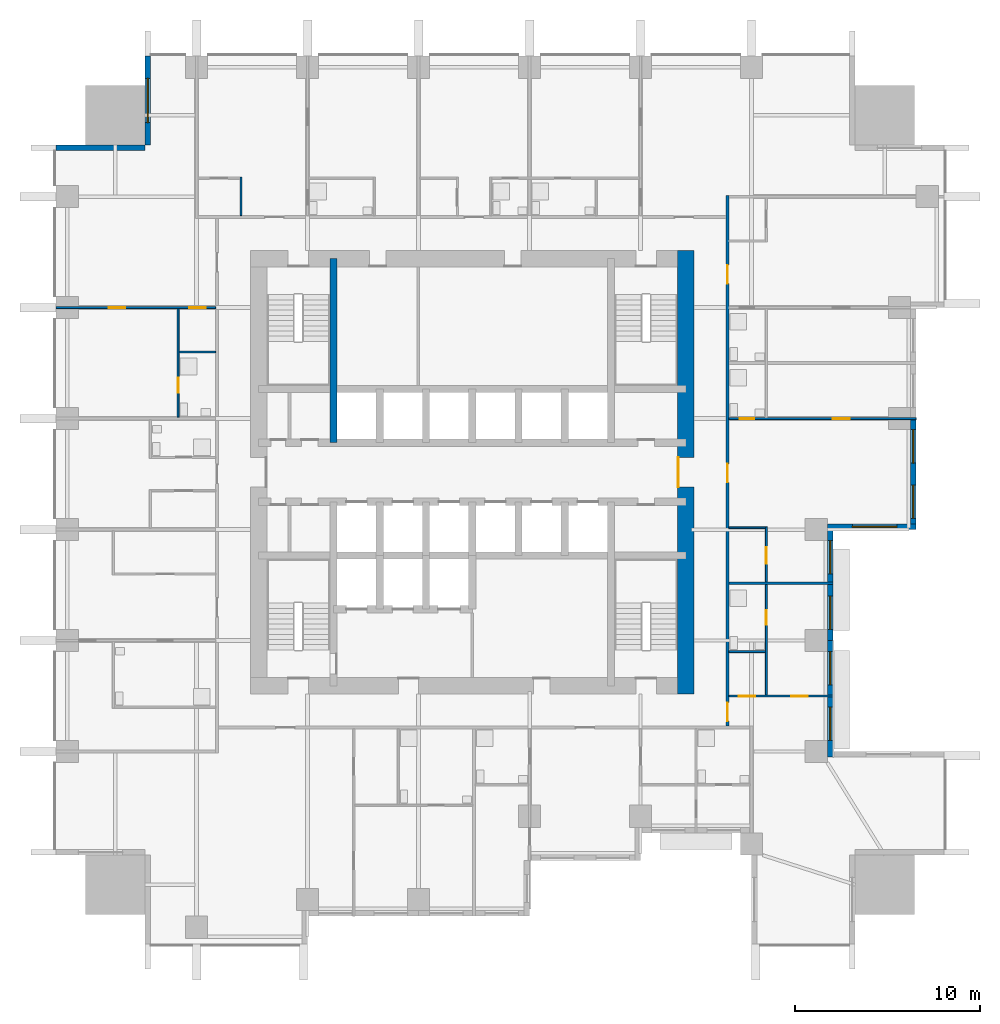
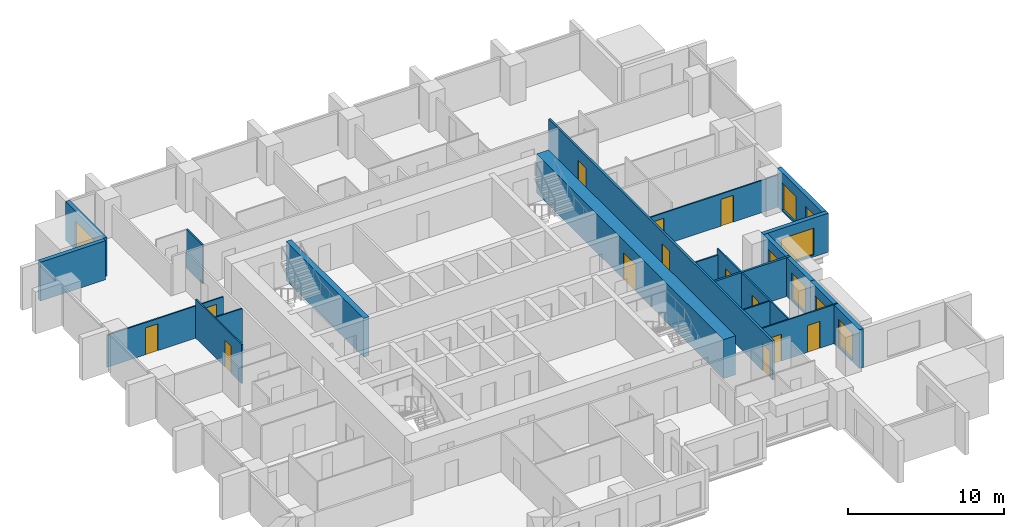
# One storey, part 6 of 10: 19 walls, 13 doors, 8 windows, 21 openings.
"""IFC4 building model written with IfcOpenShell, lengths in metres."""

import ifcopenshell
import ifcopenshell.guid

model = None  # the IFC model being written
_history = None  # IfcOwnerHistory: only IFC2X3 demands one
_inside = {}  # id of a spatial element -> (the spatial element, [elements in it])
_under = {}  # id of a project, library or spatial element -> (it, [spatial elements below it])
_declared = {}  # id of a project -> (the project, [libraries it declares])
_typed = {}  # id of a type object -> (the type object, [elements of that type])
_made_of = {}  # id of a material, layer set ... -> (it, [elements and type objects made of it])


def new_model(schema):
    """Start an empty IFC model of exactly this schema.

    Asked for "IFC4X3", IfcOpenShell would pick the latest addendum, in which some entities
    have other attributes; the version numbers below select the first issue.
    IFC2X3 requires an IfcOwnerHistory on every rooted entity: one is made here for all.
    """
    global model, _history
    if schema == "IFC4X3":
        model = ifcopenshell.file(schema_version=(4, 3, 0, 0))
    else:
        model = ifcopenshell.file(schema=schema)
    _inside.clear()
    _under.clear()
    _declared.clear()
    _typed.clear()
    _made_of.clear()
    _history = None
    if model.schema == "IFC2X3":
        org = make("IfcOrganization", Name="unknown")
        user = make(
            "IfcPersonAndOrganization",
            ThePerson=make("IfcPerson", FamilyName="unknown"),
            TheOrganization=org,
        )
        app = make(
            "IfcApplication",
            ApplicationDeveloper=org,
            Version="unknown",
            ApplicationFullName="unknown",
            ApplicationIdentifier="unknown",
        )
        _history = make(
            "IfcOwnerHistory",
            OwningUser=user,
            OwningApplication=app,
            ChangeAction="ADDED",
            CreationDate=0,
        )
    return model


def make(cls, **values):
    """One entity of the class cls with the attributes given. An attribute that is None is left unset."""
    return model.create_entity(
        cls, **{name: value for name, value in values.items() if value is not None}
    )


def rooted(cls, **values):
    """An entity with a GlobalId (a new one), such as an element, a storey or a relation."""
    return make(cls, GlobalId=ifcopenshell.guid.new(), OwnerHistory=_history, **values)


def si_unit(unit_type, name, prefix=None):
    """IfcSIUnit, for example si_unit("LENGTHUNIT", "METRE", prefix="MILLI")."""
    return make("IfcSIUnit", UnitType=unit_type, Prefix=prefix, Name=name)


def assignment(units):
    """IfcUnitAssignment: the units of a project."""
    return None if units is None else make("IfcUnitAssignment", Units=units)


def point(xyz):
    """IfcCartesianPoint."""
    return None if xyz is None else make("IfcCartesianPoint", Coordinates=xyz)


def direction(xyz):
    """IfcDirection."""
    return None if xyz is None else make("IfcDirection", DirectionRatios=xyz)


def frame(location, z_axis=None, x_axis=None):
    """IfcAxis2Placement3D, a coordinate frame: its origin and axes. An axis left out is left unset."""
    return make(
        "IfcAxis2Placement3D",
        Location=point(location),
        Axis=direction(z_axis),
        RefDirection=direction(x_axis),
    )


def frame_2d(location, x_axis=None):
    """IfcAxis2Placement2D, a coordinate frame in the plane: its origin and x axis."""
    return make(
        "IfcAxis2Placement2D", Location=point(location), RefDirection=direction(x_axis)
    )


def origin():
    """The frame at (0, 0, 0) with its axes left unset."""
    return frame((0.0, 0.0, 0.0))


def place(relative_to, where):
    """IfcLocalPlacement: puts the frame where relative to a parent placement (None: the world)."""
    return make(
        "IfcLocalPlacement", PlacementRelTo=relative_to, RelativePlacement=where
    )


def context(
    kind, dimensions, precision=None, world=None, true_north=None, identifier=None
):
    """IfcGeometricRepresentationContext, for example the 3D "Model" context."""
    return make(
        "IfcGeometricRepresentationContext",
        ContextIdentifier=identifier,
        ContextType=kind,
        CoordinateSpaceDimension=dimensions,
        Precision=precision,
        WorldCoordinateSystem=world,
        TrueNorth=true_north,
    )


def subcontext(parent, identifier, kind, view, scale=None):
    """IfcGeometricRepresentationSubContext, for example "Body" below "Model"."""
    return make(
        "IfcGeometricRepresentationSubContext",
        ContextIdentifier=identifier,
        ContextType=kind,
        ParentContext=parent,
        TargetScale=scale,
        TargetView=view,
    )


def project(units=None, contexts=None):
    """IfcProject with its units and contexts."""
    return rooted(
        "IfcProject",
        Name="project",
        RepresentationContexts=contexts,
        UnitsInContext=assignment(units),
    )


def spatial(cls, under=None, at=None, **own):
    """A site, building, storey or space (cls), placed at a placement, below another one or the project."""
    s = rooted(cls, ObjectPlacement=at, **own)
    if under is not None:
        _under.setdefault(under.id(), (under, []))[1].append(s)
    return s


def profile(cls, at=None, kind="AREA", **sizes):
    """A parametric profile (cls). Its sizes go by their IFC names, for example OverallWidth=200.0."""
    return make(cls, ProfileType=kind, Position=at, **sizes)


def rectangle(**sizes):
    """IfcRectangleProfileDef."""
    return profile("IfcRectangleProfileDef", **sizes)


def extrude(swept, where, along, depth):
    """IfcExtrudedAreaSolid: the profile swept, set in the frame where, extruded along a direction by depth."""
    return make(
        "IfcExtrudedAreaSolid",
        SweptArea=swept,
        Position=where,
        ExtrudedDirection=direction(along),
        Depth=depth,
    )


def shape(context_of_items, identifier, shape_type, items):
    """IfcShapeRepresentation: the items that make up one representation, for example the "Body"."""
    return make(
        "IfcShapeRepresentation",
        ContextOfItems=context_of_items,
        RepresentationIdentifier=identifier,
        RepresentationType=shape_type,
        Items=items,
    )


def material(Name=None, Category=None):
    """IfcMaterial."""
    return make("IfcMaterial", Name=Name, Category=Category)


def layer(
    of_material, thickness, ventilated=None, Name=None, Category=None, Priority=None
):
    """IfcMaterialLayer: one layer of a wall or slab, of a material (None: an air gap)."""
    return make(
        "IfcMaterialLayer",
        Material=of_material,
        LayerThickness=thickness,
        IsVentilated=ventilated,
        Name=Name,
        Category=Category,
        Priority=Priority,
    )


def layer_set(layers, Name=None):
    """IfcMaterialLayerSet."""
    return make("IfcMaterialLayerSet", MaterialLayers=layers, LayerSetName=Name)


def made_of(thing, what):
    """Note that an element or type object is made of a material, layer set ...; save() writes the relation."""
    if what is not None:
        _made_of.setdefault(what.id(), (what, []))[1].append(thing)
    return thing


def type_object(cls, material=None, **own):
    """A type object (cls), such as IfcWallType, which elements share."""
    return made_of(rooted(cls, **own), material)


def element(
    cls,
    number,
    at=None,
    inside=None,
    cuts=None,
    type_object=None,
    material=None,
    context=None,
    identifier="Body",
    shape_type=None,
    held_by="IfcProductDefinitionShape",
    body=None,
    shapes=None,
    **own,
):
    """One element of the class cls, such as IfcWall. Its Tag is "e" and its number.

    at: its placement. inside: the storey or other place that contains it. cuts: it is an
    opening in that element (IfcRelVoidsElement). A single representation is given by context,
    identifier, shape_type and body (its items); several are given by shapes. held_by: the class
    of the entity that holds the representations. save() writes the other relations.
    """
    e = rooted(cls, Tag="e%d" % number, ObjectPlacement=at, **own)
    if body is not None:
        shapes = [shape(context, identifier, shape_type, body)]
    if shapes is not None:
        e.Representation = make(held_by, Representations=shapes)
    if inside is not None:
        _inside.setdefault(inside.id(), (inside, []))[1].append(e)
    if cuts is not None:
        rooted(
            "IfcRelVoidsElement", RelatingBuildingElement=cuts, RelatedOpeningElement=e
        )
    if type_object is not None:
        _typed.setdefault(type_object.id(), (type_object, []))[1].append(e)
    return made_of(e, material)


def fill(opening, filler):
    """IfcRelFillsElement: the door or window that sits in an opening."""
    return rooted(
        "IfcRelFillsElement",
        RelatingOpeningElement=opening,
        RelatedBuildingElement=filler,
    )


def aggregate(whole, parts):
    """IfcRelAggregates: a whole, such as a stair, and the parts it consists of."""
    return rooted("IfcRelAggregates", RelatingObject=whole, RelatedObjects=parts)


def save(model, path):
    """Write the relations noted so far, then the file.

    IfcRelAggregates (storeys below a building ...), IfcRelContainedInSpatialStructure (elements
    in a storey), IfcRelDefinesByType, IfcRelAssociatesMaterial and IfcRelDeclares: one each for
    every whole, place, type object, material and project.
    """
    for whole, parts in _under.values():
        aggregate(whole, parts)
    for where, things in _inside.values():
        rooted(
            "IfcRelContainedInSpatialStructure",
            RelatedElements=things,
            RelatingStructure=where,
        )
    for kind, things in _typed.values():
        rooted("IfcRelDefinesByType", RelatedObjects=things, RelatingType=kind)
    for what, things in _made_of.values():
        rooted("IfcRelAssociatesMaterial", RelatedObjects=things, RelatingMaterial=what)
    for by, libraries in _declared.values():
        rooted("IfcRelDeclares", RelatingContext=by, RelatedDefinitions=libraries)
    model.write(path)


model = new_model("IFC4")

# Units and contexts
model_context = context("Model", 3, precision=1e-05, world=origin(), true_north=direction((0.0, 1.0)))
body_context = subcontext(model_context, "Body", "Model", "MODEL_VIEW")
ifc_project = project(units=[si_unit("LENGTHUNIT", "METRE"), si_unit("AREAUNIT", "SQUARE_METRE"), si_unit("VOLUMEUNIT", "CUBIC_METRE"), si_unit("PLANEANGLEUNIT", "RADIAN"), si_unit("MASSUNIT", "GRAM", prefix="KILO")], contexts=[model_context])

# Site, building, storey
site_placement = place(None, origin())
site = spatial("IfcSite", under=ifc_project, at=site_placement, CompositionType="ELEMENT")
building_placement = place(site_placement, origin())
building = spatial("IfcBuilding", under=site, at=building_placement, Name="Amberfall Residences", CompositionType="ELEMENT")
storey_placement = place(building_placement, frame((0.0, 0.0, 63.10009765625)))
storey = spatial("IfcBuildingStorey", under=building, at=storey_placement, Name="L17", CompositionType="ELEMENT", Elevation=63.10009765625)

# Wall, opening, window
ifc_material_1 = material(Name="Pale stone cladding on insulated backing", Category="masonry")
ifc_layer_1 = layer(ifc_material_1, 0.300048828125)
ifc_layer_set_1 = layer_set([ifc_layer_1], Name="Bronze clad wall 300")
wall_type_1 = type_object("IfcWallType", Name="Bronze clad wall 300", PredefinedType="SOLIDWALL", material=ifc_layer_set_1)
wall_1_placement = place(storey_placement, frame((93.699951171875, 42.550048828125, 0.0), z_axis=(0.0, 0.0, 1.0), x_axis=(1.0, 0.0, 0.0)))
wall_1 = element("IfcWall", 1, at=wall_1_placement, inside=storey, type_object=wall_type_1, Name="External wall L17 E", PredefinedType="SOLIDWALL", context=body_context, shape_type="SweptSolid", body=[
    extrude(rectangle(XDim=4.800048828125, YDim=0.300048828125, at=frame_2d((2.39990234375, 0.0))), origin(), (0.0, 0.0, 1.0), 3.0498046875),
])
opening_1_placement = place(wall_1_placement, frame((1.35009765625, 0.0, 0.14990234375)))
opening_1 = element("IfcOpeningElement", 2, at=opening_1_placement, cuts=wall_1, Name="Opening WN5", PredefinedType="OPENING", context=body_context, shape_type="SweptSolid", body=[
    extrude(rectangle(XDim=2.39990234375, YDim=2.10009765625, at=frame_2d((1.199951171875, 1.050048828125))), frame((0.0, 0.159912109375, 0.0), z_axis=(0.0, -1.0, 0.0), x_axis=(1.0, 0.0, 0.0)), (0.0, 0.0, 1.0), 0.320068359375),
])
ifc_material_2 = material(Name="Bronze aluminium framed glazing", Category="aluminium")
window_type_1 = type_object("IfcWindowType", Name="Glazed opening 2400 x 2100 bronze", PartitioningType="DOUBLE_PANEL_VERTICAL", PredefinedType="WINDOW", material=ifc_material_2)
window_1_placement = place(opening_1_placement, origin())
window_1 = element("IfcWindow", 3, at=window_1_placement, inside=storey, type_object=window_type_1, Name="Window L17 E", OverallHeight=2.10009765625, OverallWidth=2.39990234375, PartitioningType="DOUBLE_PANEL_VERTICAL", PredefinedType="WINDOW", context=body_context, shape_type="SweptSolid", body=[
    extrude(rectangle(XDim=2.39990234375, YDim=2.10009765625, at=frame_2d((1.199951171875, 1.050048828125))), frame((0.0, 0.030029296875, 0.0), z_axis=(0.0, -1.0, 0.0), x_axis=(1.0, 0.0, 0.0)), (0.0, 0.0, 1.0), 0.06005859375),
])
fill(opening_1, window_1)

wall_2_placement = place(storey_placement, frame((56.949951171875, 68.0, 0.0), z_axis=(0.0, 0.0, 1.0), x_axis=(0.0, -1.0, 0.0)))
wall_2 = element("IfcWall", 4, at=wall_2_placement, inside=storey, type_object=wall_type_1, Name="External wall L17 NW", PredefinedType="SOLIDWALL", context=body_context, shape_type="SweptSolid", body=[
    extrude(rectangle(XDim=4.800048828125, YDim=0.300048828125, at=frame_2d((2.39990234375, 0.0))), origin(), (0.0, 0.0, 1.0), 3.0498046875),
])
opening_2_placement = place(wall_2_placement, frame((1.199951171875, 0.0, 0.14990234375)))
opening_2 = element("IfcOpeningElement", 5, at=opening_2_placement, cuts=wall_2, Name="Opening WN5", PredefinedType="OPENING", context=body_context, shape_type="SweptSolid", body=[
    extrude(rectangle(XDim=2.39990234375, YDim=2.10009765625, at=frame_2d((1.199951171875, 1.050048828125))), frame((0.0, 0.159912109375, 0.0), z_axis=(0.0, -1.0, 0.0), x_axis=(1.0, 0.0, 0.0)), (0.0, 0.0, 1.0), 0.320068359375),
])
window_2_placement = place(opening_2_placement, origin())
window_2 = element("IfcWindow", 6, at=window_2_placement, inside=storey, type_object=window_type_1, Name="Window L17 NW", OverallHeight=2.10009765625, OverallWidth=2.39990234375, PartitioningType="DOUBLE_PANEL_VERTICAL", PredefinedType="WINDOW", context=body_context, shape_type="SweptSolid", body=[
    extrude(rectangle(XDim=2.39990234375, YDim=2.10009765625, at=frame_2d((1.199951171875, 1.050048828125))), frame((0.0, 0.030029296875, 0.0), z_axis=(0.0, -1.0, 0.0), x_axis=(1.0, 0.0, 0.0)), (0.0, 0.0, 1.0), 0.06005859375),
])
fill(opening_2, window_2)

# Wall
wall_3_placement = place(storey_placement, frame((56.800048828125, 63.050048828125, 0.0), z_axis=(0.0, 0.0, 1.0), x_axis=(-1.0, 0.0, 0.0)))
element("IfcWall", 7, at=wall_3_placement, inside=storey, type_object=wall_type_1, Name="External wall L17 NW", PredefinedType="SOLIDWALL", context=body_context, shape_type="SweptSolid", body=[
    extrude(rectangle(XDim=4.800048828125, YDim=0.300048828125, at=frame_2d((2.39990234375, 0.0))), origin(), (0.0, 0.0, 1.0), 3.0498046875),
])

# Wall, openings, windows
wall_4_placement = place(storey_placement, frame((93.85009765625, 30.10009765625, 0.0), z_axis=(0.0, 0.0, 1.0), x_axis=(0.0, 1.0, 0.0)))
wall_4 = element("IfcWall", 8, at=wall_4_placement, inside=storey, type_object=wall_type_1, Name="Stone wall L17 E", PredefinedType="SOLIDWALL", context=body_context, shape_type="SweptSolid", body=[
    extrude(rectangle(XDim=6.2998046875, YDim=0.300048828125, at=frame_2d((3.14990234375, 0.0))), origin(), (0.0, 0.0, 1.0), 3.0498046875),
])
opening_3_placement = place(wall_4_placement, frame((0.89990234375, 0.0, 0.14990234375)))
opening_3 = element("IfcOpeningElement", 9, at=opening_3_placement, cuts=wall_4, Name="Opening WN6", PredefinedType="OPENING", context=body_context, shape_type="SweptSolid", body=[
    extrude(rectangle(XDim=1.800048828125, YDim=2.10009765625, at=frame_2d((0.89990234375, 1.050048828125))), frame((0.0, 0.159912109375, 0.0), z_axis=(0.0, -1.0, 0.0), x_axis=(1.0, 0.0, 0.0)), (0.0, 0.0, 1.0), 0.320068359375),
])
opening_4_placement = place(wall_4_placement, frame((3.89990234375, 0.0, 0.14990234375)))
opening_4 = element("IfcOpeningElement", 10, at=opening_4_placement, cuts=wall_4, Name="Opening WN6", PredefinedType="OPENING", context=body_context, shape_type="SweptSolid", body=[
    extrude(rectangle(XDim=1.800048828125, YDim=2.10009765625, at=frame_2d((0.89990234375, 1.050048828125))), frame((0.0, 0.159912109375, 0.0), z_axis=(0.0, -1.0, 0.0), x_axis=(1.0, 0.0, 0.0)), (0.0, 0.0, 1.0), 0.320068359375),
])
window_type_2 = type_object("IfcWindowType", Name="Glazed opening 1800 x 2100 bronze", PartitioningType="DOUBLE_PANEL_VERTICAL", PredefinedType="WINDOW", material=ifc_material_2)
window_3_placement = place(opening_3_placement, origin())
window_3 = element("IfcWindow", 11, at=window_3_placement, inside=storey, type_object=window_type_2, Name="Window L17 E", OverallHeight=2.10009765625, OverallWidth=1.800048828125, PartitioningType="DOUBLE_PANEL_VERTICAL", PredefinedType="WINDOW", context=body_context, shape_type="SweptSolid", body=[
    extrude(rectangle(XDim=1.800048828125, YDim=2.10009765625, at=frame_2d((0.89990234375, 1.050048828125))), frame((0.0, 0.030029296875, 0.0), z_axis=(0.0, -1.0, 0.0), x_axis=(1.0, 0.0, 0.0)), (0.0, 0.0, 1.0), 0.06005859375),
])
fill(opening_3, window_3)
window_4_placement = place(opening_4_placement, origin())
window_4 = element("IfcWindow", 12, at=window_4_placement, inside=storey, type_object=window_type_2, Name="Window L17 E", OverallHeight=2.10009765625, OverallWidth=1.800048828125, PartitioningType="DOUBLE_PANEL_VERTICAL", PredefinedType="WINDOW", context=body_context, shape_type="SweptSolid", body=[
    extrude(rectangle(XDim=1.800048828125, YDim=2.10009765625, at=frame_2d((0.89990234375, 1.050048828125))), frame((0.0, 0.030029296875, 0.0), z_axis=(0.0, -1.0, 0.0), x_axis=(1.0, 0.0, 0.0)), (0.0, 0.0, 1.0), 0.06005859375),
])
fill(opening_4, window_4)

wall_5_placement = place(storey_placement, frame((93.85009765625, 36.39990234375, 0.0), z_axis=(0.0, 0.0, 1.0), x_axis=(0.0, 1.0, 0.0)))
wall_5 = element("IfcWall", 13, at=wall_5_placement, inside=storey, type_object=wall_type_1, Name="Stone wall L17 E", PredefinedType="SOLIDWALL", context=body_context, shape_type="SweptSolid", body=[
    extrude(rectangle(XDim=6.0, YDim=0.300048828125, at=frame_2d((3.0, 0.0))), origin(), (0.0, 0.0, 1.0), 3.0498046875),
])
opening_5_placement = place(wall_5_placement, frame((0.60009765625, 0.0, 0.14990234375)))
opening_5 = element("IfcOpeningElement", 14, at=opening_5_placement, cuts=wall_5, Name="Opening WN6", PredefinedType="OPENING", context=body_context, shape_type="SweptSolid", body=[
    extrude(rectangle(XDim=1.800048828125, YDim=2.10009765625, at=frame_2d((0.89990234375, 1.050048828125))), frame((0.0, 0.159912109375, 0.0), z_axis=(0.0, -1.0, 0.0), x_axis=(1.0, 0.0, 0.0)), (0.0, 0.0, 1.0), 0.320068359375),
])
opening_6_placement = place(wall_5_placement, frame((3.60009765625, 0.0, 0.14990234375)))
opening_6 = element("IfcOpeningElement", 15, at=opening_6_placement, cuts=wall_5, Name="Opening WN6", PredefinedType="OPENING", context=body_context, shape_type="SweptSolid", body=[
    extrude(rectangle(XDim=1.800048828125, YDim=2.10009765625, at=frame_2d((0.89990234375, 1.050048828125))), frame((0.0, 0.159912109375, 0.0), z_axis=(0.0, -1.0, 0.0), x_axis=(1.0, 0.0, 0.0)), (0.0, 0.0, 1.0), 0.320068359375),
])
window_5_placement = place(opening_5_placement, origin())
window_5 = element("IfcWindow", 16, at=window_5_placement, inside=storey, type_object=window_type_2, Name="Window L17 E", OverallHeight=2.10009765625, OverallWidth=1.800048828125, PartitioningType="DOUBLE_PANEL_VERTICAL", PredefinedType="WINDOW", context=body_context, shape_type="SweptSolid", body=[
    extrude(rectangle(XDim=1.800048828125, YDim=2.10009765625, at=frame_2d((0.89990234375, 1.050048828125))), frame((0.0, 0.030029296875, 0.0), z_axis=(0.0, -1.0, 0.0), x_axis=(1.0, 0.0, 0.0)), (0.0, 0.0, 1.0), 0.06005859375),
])
fill(opening_5, window_5)
window_6_placement = place(opening_6_placement, origin())
window_6 = element("IfcWindow", 17, at=window_6_placement, inside=storey, type_object=window_type_2, Name="Window L17 E", OverallHeight=2.10009765625, OverallWidth=1.800048828125, PartitioningType="DOUBLE_PANEL_VERTICAL", PredefinedType="WINDOW", context=body_context, shape_type="SweptSolid", body=[
    extrude(rectangle(XDim=1.800048828125, YDim=2.10009765625, at=frame_2d((0.89990234375, 1.050048828125))), frame((0.0, 0.030029296875, 0.0), z_axis=(0.0, -1.0, 0.0), x_axis=(1.0, 0.0, 0.0)), (0.0, 0.0, 1.0), 0.06005859375),
])
fill(opening_6, window_6)

wall_6_placement = place(storey_placement, frame((98.35009765625, 42.699951171875, 0.0), z_axis=(0.0, 0.0, 1.0), x_axis=(0.0, 1.0, 0.0)))
wall_6 = element("IfcWall", 18, at=wall_6_placement, inside=storey, type_object=wall_type_1, Name="Stone wall L17 E", PredefinedType="SOLIDWALL", context=body_context, shape_type="SweptSolid", body=[
    extrude(rectangle(XDim=5.699951171875, YDim=0.300048828125, at=frame_2d((2.85009765625, 0.0))), origin(), (0.0, 0.0, 1.0), 3.0498046875),
])
opening_7_placement = place(wall_6_placement, frame((0.300048828125, 0.0, 0.14990234375)))
opening_7 = element("IfcOpeningElement", 19, at=opening_7_placement, cuts=wall_6, Name="Opening WN6", PredefinedType="OPENING", context=body_context, shape_type="SweptSolid", body=[
    extrude(rectangle(XDim=1.800048828125, YDim=2.10009765625, at=frame_2d((0.89990234375, 1.050048828125))), frame((0.0, 0.159912109375, 0.0), z_axis=(0.0, -1.0, 0.0), x_axis=(1.0, 0.0, 0.0)), (0.0, 0.0, 1.0), 0.320068359375),
])
opening_8_placement = place(wall_6_placement, frame((3.300048828125, 0.0, 0.14990234375)))
opening_8 = element("IfcOpeningElement", 20, at=opening_8_placement, cuts=wall_6, Name="Opening WN6", PredefinedType="OPENING", context=body_context, shape_type="SweptSolid", body=[
    extrude(rectangle(XDim=1.800048828125, YDim=2.10009765625, at=frame_2d((0.89990234375, 1.050048828125))), frame((0.0, 0.159912109375, 0.0), z_axis=(0.0, -1.0, 0.0), x_axis=(1.0, 0.0, 0.0)), (0.0, 0.0, 1.0), 0.320068359375),
])
window_7_placement = place(opening_7_placement, origin())
window_7 = element("IfcWindow", 21, at=window_7_placement, inside=storey, type_object=window_type_2, Name="Window L17 E", OverallHeight=2.10009765625, OverallWidth=1.800048828125, PartitioningType="DOUBLE_PANEL_VERTICAL", PredefinedType="WINDOW", context=body_context, shape_type="SweptSolid", body=[
    extrude(rectangle(XDim=1.800048828125, YDim=2.10009765625, at=frame_2d((0.89990234375, 1.050048828125))), frame((0.0, 0.030029296875, 0.0), z_axis=(0.0, -1.0, 0.0), x_axis=(1.0, 0.0, 0.0)), (0.0, 0.0, 1.0), 0.06005859375),
])
fill(opening_7, window_7)
window_8_placement = place(opening_8_placement, origin())
window_8 = element("IfcWindow", 22, at=window_8_placement, inside=storey, type_object=window_type_2, Name="Window L17 E", OverallHeight=2.10009765625, OverallWidth=1.800048828125, PartitioningType="DOUBLE_PANEL_VERTICAL", PredefinedType="WINDOW", context=body_context, shape_type="SweptSolid", body=[
    extrude(rectangle(XDim=1.800048828125, YDim=2.10009765625, at=frame_2d((0.89990234375, 1.050048828125))), frame((0.0, 0.030029296875, 0.0), z_axis=(0.0, -1.0, 0.0), x_axis=(1.0, 0.0, 0.0)), (0.0, 0.0, 1.0), 0.06005859375),
])
fill(opening_8, window_8)

# Wall
ifc_material_3 = material(Name="Concrete C80", Category="concrete")
ifc_layer_2 = layer(ifc_material_3, 0.39990234375)
ifc_layer_set_2 = layer_set([ifc_layer_2], Name="Core wall 400 C80")
wall_type_2 = type_object("IfcWallType", Name="Core wall 400 C80", PredefinedType="SHEAR", material=ifc_layer_set_2)
wall_7_placement = place(storey_placement, frame((67.0, 47.10009765625, 0.0), z_axis=(0.0, 0.0, 1.0), x_axis=(0.0, 1.0, 0.0)))
element("IfcWall", 23, at=wall_7_placement, inside=storey, type_object=wall_type_2, Name="Core wall RW2 L17 V45N", PredefinedType="SHEAR", context=body_context, shape_type="SweptSolid", body=[
    extrude(rectangle(XDim=9.949951171875, YDim=0.39990234375, at=frame_2d((4.97509765625, 0.0))), origin(), (0.0, 0.0, 1.0), 3.0498046875),
])

# Wall, opening, door
ifc_layer_3 = layer(ifc_material_3, 0.89990234375)
ifc_layer_set_3 = layer_set([ifc_layer_3], Name="Core wall 900 C80")
wall_type_3 = type_object("IfcWallType", Name="Core wall 900 C80", PredefinedType="SHEAR", material=ifc_layer_set_3)
wall_8_placement = place(storey_placement, frame((86.050048828125, 33.5, 0.0), z_axis=(0.0, 0.0, 1.0), x_axis=(0.0, 1.0, 0.0)))
wall_8 = element("IfcWall", 24, at=wall_8_placement, inside=storey, type_object=wall_type_3, Name="Core wall RW1 L17 OE", PredefinedType="SHEAR", context=body_context, shape_type="SweptSolid", body=[
    extrude(rectangle(XDim=24.0, YDim=0.89990234375, at=frame_2d((12.0, 0.0))), origin(), (0.0, 0.0, 1.0), 3.0498046875),
])
opening_9_placement = place(wall_8_placement, frame((11.199951171875, 0.0, 0.0)))
opening_9 = element("IfcOpeningElement", 25, at=opening_9_placement, cuts=wall_8, Name="Opening LB1", PredefinedType="OPENING", context=body_context, shape_type="SweptSolid", body=[
    extrude(rectangle(XDim=1.60009765625, YDim=2.10009765625, at=frame_2d((0.800048828125, 1.050048828125))), frame((0.0, 0.4599609375, 0.0), z_axis=(0.0, -1.0, 0.0), x_axis=(1.0, 0.0, 0.0)), (0.0, 0.0, 1.0), 0.919921875),
])
ifc_material_4 = material(Name="Steel fire door set", Category="steel")
door_type_1 = type_object("IfcDoorType", Name="Lift lobby double door 1600 x 2100", OperationType="DOUBLE_DOOR_SINGLE_SWING", PredefinedType="DOOR", material=ifc_material_4)
door_1_placement = place(opening_9_placement, origin())
door_1 = element("IfcDoor", 26, at=door_1_placement, inside=storey, type_object=door_type_1, Name="LB1 L17", OperationType="DOUBLE_DOOR_SINGLE_SWING", OverallHeight=2.10009765625, OverallWidth=1.60009765625, PredefinedType="DOOR", context=body_context, shape_type="SweptSolid", body=[
    extrude(rectangle(XDim=1.60009765625, YDim=2.10009765625, at=frame_2d((0.800048828125, 1.050048828125))), frame((0.0, 0.4375, 0.0), z_axis=(0.0, -1.0, 0.0), x_axis=(1.0, 0.0, 0.0)), (0.0, 0.0, 1.0), 0.050048828125),
])
fill(opening_9, door_1)

ifc_material_5 = material(Name="Gypsum board on metal stud")
ifc_layer_4 = layer(ifc_material_5, 0.10009765625)
ifc_layer_set_4 = layer_set([ifc_layer_4], Name="Flat partition 100")
wall_type_4 = type_object("IfcWallType", Name="Flat partition 100", PredefinedType="PARTITIONING", material=ifc_layer_set_4)
wall_9_placement = place(storey_placement, frame((58.60009765625, 54.35009765625, 0.0), z_axis=(0.0, 0.0, 1.0), x_axis=(0.0, -1.0, 0.0)))
wall_9 = element("IfcWall", 27, at=wall_9_placement, inside=storey, type_object=wall_type_4, Name="Partition 005", PredefinedType="PARTITIONING", context=body_context, shape_type="SweptSolid", body=[
    extrude(rectangle(XDim=5.875, YDim=0.10009765625, at=frame_2d((2.9375, 0.0))), origin(), (0.0, 0.0, 1.0), 3.0498046875),
])
opening_10_placement = place(wall_9_placement, frame((3.75, 0.0, 0.0)))
opening_10 = element("IfcOpeningElement", 28, at=opening_10_placement, cuts=wall_9, Name="Opening D42", PredefinedType="OPENING", context=body_context, shape_type="SweptSolid", body=[
    extrude(rectangle(XDim=0.800048828125, YDim=2.10009765625, at=frame_2d((0.39990234375, 1.050048828125))), frame((0.0, 0.06005859375, 0.0), z_axis=(0.0, -1.0, 0.0), x_axis=(1.0, 0.0, 0.0)), (0.0, 0.0, 1.0), 0.1201171875),
])
ifc_material_6 = material(Name="Timber", Category="wood")
door_type_2 = type_object("IfcDoorType", Name="Bathroom door 800 x 2100", OperationType="SINGLE_SWING_LEFT", PredefinedType="DOOR", material=ifc_material_6)
door_2_placement = place(opening_10_placement, origin())
door_2 = element("IfcDoor", 29, at=door_2_placement, inside=storey, type_object=door_type_2, Name="Door 1711 bath1", OperationType="SINGLE_SWING_LEFT", OverallHeight=2.10009765625, OverallWidth=0.800048828125, PredefinedType="DOOR", context=body_context, shape_type="SweptSolid", body=[
    extrude(rectangle(XDim=0.800048828125, YDim=2.10009765625, at=frame_2d((0.39990234375, 1.050048828125))), frame((0.0, 0.02490234375, 0.0), z_axis=(0.0, -1.0, 0.0), x_axis=(1.0, 0.0, 0.0)), (0.0, 0.0, 1.0), 0.050048828125),
])
fill(opening_10, door_2)

# Wall
wall_10_placement = place(storey_placement, frame((62.0, 59.375, 0.0), z_axis=(0.0, 0.0, 1.0), x_axis=(0.0, 1.0, 0.0)))
element("IfcWall", 30, at=wall_10_placement, inside=storey, type_object=wall_type_4, Name="Partition 006", PredefinedType="PARTITIONING", context=body_context, shape_type="SweptSolid", body=[
    extrude(rectangle(XDim=2.074951171875, YDim=0.10009765625, at=frame_2d((1.03759765625, 0.0))), origin(), (0.0, 0.0, 1.0), 3.0498046875),
])

# Wall, openings, doors
wall_11_placement = place(storey_placement, frame((90.39990234375, 33.449951171875, 0.0), z_axis=(0.0, 0.0, 1.0), x_axis=(0.0, 1.0, 0.0)))
wall_11 = element("IfcWall", 31, at=wall_11_placement, inside=storey, type_object=wall_type_4, Name="Partition 018", PredefinedType="PARTITIONING", context=body_context, shape_type="SweptSolid", body=[
    extrude(rectangle(XDim=9.10009765625, YDim=0.10009765625, at=frame_2d((4.550048828125, 0.0))), origin(), (0.0, 0.0, 1.0), 3.0498046875),
])
opening_11_placement = place(wall_11_placement, frame((3.800048828125, 0.0, 0.0)))
opening_11 = element("IfcOpeningElement", 32, at=opening_11_placement, cuts=wall_11, Name="Opening D42", PredefinedType="OPENING", context=body_context, shape_type="SweptSolid", body=[
    extrude(rectangle(XDim=0.800048828125, YDim=2.10009765625, at=frame_2d((0.39990234375, 1.050048828125))), frame((0.0, 0.06005859375, 0.0), z_axis=(0.0, -1.0, 0.0), x_axis=(1.0, 0.0, 0.0)), (0.0, 0.0, 1.0), 0.1201171875),
])
opening_12_placement = place(wall_11_placement, frame((7.10009765625, 0.0, 0.0)))
opening_12 = element("IfcOpeningElement", 33, at=opening_12_placement, cuts=wall_11, Name="Opening D41", PredefinedType="OPENING", context=body_context, shape_type="SweptSolid", body=[
    extrude(rectangle(XDim=0.89990234375, YDim=2.10009765625, at=frame_2d((0.449951171875, 1.050048828125))), frame((0.0, 0.06005859375, 0.0), z_axis=(0.0, -1.0, 0.0), x_axis=(1.0, 0.0, 0.0)), (0.0, 0.0, 1.0), 0.1201171875),
])
door_3_placement = place(opening_11_placement, origin())
door_3 = element("IfcDoor", 34, at=door_3_placement, inside=storey, type_object=door_type_2, Name="Door 1703 bath1", OperationType="SINGLE_SWING_LEFT", OverallHeight=2.10009765625, OverallWidth=0.800048828125, PredefinedType="DOOR", context=body_context, shape_type="SweptSolid", body=[
    extrude(rectangle(XDim=0.800048828125, YDim=2.10009765625, at=frame_2d((0.39990234375, 1.050048828125))), frame((0.0, 0.02490234375, 0.0), z_axis=(0.0, -1.0, 0.0), x_axis=(1.0, 0.0, 0.0)), (0.0, 0.0, 1.0), 0.050048828125),
])
fill(opening_11, door_3)
door_type_3 = type_object("IfcDoorType", Name="Internal door 900 x 2100", OperationType="SINGLE_SWING_LEFT", PredefinedType="DOOR", material=ifc_material_6)
door_4_placement = place(opening_12_placement, origin())
door_4 = element("IfcDoor", 35, at=door_4_placement, inside=storey, type_object=door_type_3, Name="Door 1704 kitchen", OperationType="SINGLE_SWING_LEFT", OverallHeight=2.10009765625, OverallWidth=0.89990234375, PredefinedType="DOOR", context=body_context, shape_type="SweptSolid", body=[
    extrude(rectangle(XDim=0.89990234375, YDim=2.10009765625, at=frame_2d((0.449951171875, 1.050048828125))), frame((0.0, 0.02490234375, 0.0), z_axis=(0.0, -1.0, 0.0), x_axis=(1.0, 0.0, 0.0)), (0.0, 0.0, 1.0), 0.050048828125),
])
fill(opening_12, door_4)

wall_12_placement = place(storey_placement, frame((60.625, 54.39990234375, 0.0), z_axis=(0.0, 0.0, 1.0), x_axis=(-1.0, 0.0, 0.0)))
wall_12 = element("IfcWall", 36, at=wall_12_placement, inside=storey, type_object=wall_type_4, Name="Partition 026", PredefinedType="PARTITIONING", context=body_context, shape_type="SweptSolid", body=[
    extrude(rectangle(XDim=8.625, YDim=0.10009765625, at=frame_2d((4.3125, 0.0))), origin(), (0.0, 0.0, 1.0), 2.515869140625),
])
opening_13_placement = place(wall_12_placement, frame((0.52490234375, 0.0, 0.0)))
opening_13 = element("IfcOpeningElement", 37, at=opening_13_placement, cuts=wall_12, Name="Opening D41", PredefinedType="OPENING", context=body_context, shape_type="SweptSolid", body=[
    extrude(rectangle(XDim=0.89990234375, YDim=2.10009765625, at=frame_2d((0.449951171875, 1.050048828125))), frame((0.0, 0.06005859375, 0.0), z_axis=(0.0, -1.0, 0.0), x_axis=(1.0, 0.0, 0.0)), (0.0, 0.0, 1.0), 0.1201171875),
])
opening_14_placement = place(wall_12_placement, frame((4.875, 0.0, 0.0)))
opening_14 = element("IfcOpeningElement", 38, at=opening_14_placement, cuts=wall_12, Name="Opening D41", PredefinedType="OPENING", context=body_context, shape_type="SweptSolid", body=[
    extrude(rectangle(XDim=0.89990234375, YDim=2.10009765625, at=frame_2d((0.449951171875, 1.050048828125))), frame((0.0, 0.06005859375, 0.0), z_axis=(0.0, -1.0, 0.0), x_axis=(1.0, 0.0, 0.0)), (0.0, 0.0, 1.0), 0.1201171875),
])
door_5_placement = place(opening_13_placement, origin())
door_5 = element("IfcDoor", 39, at=door_5_placement, inside=storey, type_object=door_type_3, Name="Door 1711 kitchen", OperationType="SINGLE_SWING_LEFT", OverallHeight=2.10009765625, OverallWidth=0.89990234375, PredefinedType="DOOR", context=body_context, shape_type="SweptSolid", body=[
    extrude(rectangle(XDim=0.89990234375, YDim=2.10009765625, at=frame_2d((0.449951171875, 1.050048828125))), frame((0.0, 0.02490234375, 0.0), z_axis=(0.0, -1.0, 0.0), x_axis=(1.0, 0.0, 0.0)), (0.0, 0.0, 1.0), 0.050048828125),
])
fill(opening_13, door_5)
door_6_placement = place(opening_14_placement, origin())
door_6 = element("IfcDoor", 40, at=door_6_placement, inside=storey, type_object=door_type_3, Name="Door 1711 bedroom1", OperationType="SINGLE_SWING_LEFT", OverallHeight=2.10009765625, OverallWidth=0.89990234375, PredefinedType="DOOR", context=body_context, shape_type="SweptSolid", body=[
    extrude(rectangle(XDim=0.89990234375, YDim=2.10009765625, at=frame_2d((0.449951171875, 1.050048828125))), frame((0.0, 0.02490234375, 0.0), z_axis=(0.0, -1.0, 0.0), x_axis=(1.0, 0.0, 0.0)), (0.0, 0.0, 1.0), 0.050048828125),
])
fill(opening_14, door_6)

# Wall
wall_13_placement = place(storey_placement, frame((58.64990234375, 52.0, 0.0), z_axis=(0.0, 0.0, 1.0), x_axis=(1.0, 0.0, 0.0)))
element("IfcWall", 41, at=wall_13_placement, inside=storey, type_object=wall_type_4, Name="Partition 028", PredefinedType="PARTITIONING", context=body_context, shape_type="SweptSolid", body=[
    extrude(rectangle(XDim=1.97509765625, YDim=0.10009765625, at=frame_2d((0.987548828125, 0.0))), origin(), (0.0, 0.0, 1.0), 3.0498046875),
])

# Wall, openings, doors
wall_14_placement = place(storey_placement, frame((88.375, 48.39990234375, 0.0), z_axis=(0.0, 0.0, 1.0), x_axis=(1.0, 0.0, 0.0)))
wall_14 = element("IfcWall", 42, at=wall_14_placement, inside=storey, type_object=wall_type_4, Name="Partition 029", PredefinedType="PARTITIONING", context=body_context, shape_type="SweptSolid", body=[
    extrude(rectangle(XDim=10.125, YDim=0.10009765625, at=frame_2d((5.0625, 0.0))), origin(), (0.0, 0.0, 1.0), 2.515869140625),
])
opening_15_placement = place(wall_14_placement, frame((5.625, 0.0, 0.0)))
opening_15 = element("IfcOpeningElement", 43, at=opening_15_placement, cuts=wall_14, Name="Opening D41", PredefinedType="OPENING", context=body_context, shape_type="SweptSolid", body=[
    extrude(rectangle(XDim=0.89990234375, YDim=2.10009765625, at=frame_2d((0.449951171875, 1.050048828125))), frame((0.0, 0.06005859375, 0.0), z_axis=(0.0, -1.0, 0.0), x_axis=(1.0, 0.0, 0.0)), (0.0, 0.0, 1.0), 0.1201171875),
])
opening_16_placement = place(wall_14_placement, frame((0.574951171875, 0.0, 0.0)))
opening_16 = element("IfcOpeningElement", 44, at=opening_16_placement, cuts=wall_14, Name="Opening D42", PredefinedType="OPENING", context=body_context, shape_type="SweptSolid", body=[
    extrude(rectangle(XDim=0.800048828125, YDim=2.10009765625, at=frame_2d((0.39990234375, 1.050048828125))), frame((0.0, 0.06005859375, 0.0), z_axis=(0.0, -1.0, 0.0), x_axis=(1.0, 0.0, 0.0)), (0.0, 0.0, 1.0), 0.1201171875),
])
door_7_placement = place(opening_16_placement, origin())
door_7 = element("IfcDoor", 45, at=door_7_placement, inside=storey, type_object=door_type_2, Name="Door 1704 bath1", OperationType="SINGLE_SWING_LEFT", OverallHeight=2.10009765625, OverallWidth=0.800048828125, PredefinedType="DOOR", context=body_context, shape_type="SweptSolid", body=[
    extrude(rectangle(XDim=0.800048828125, YDim=2.10009765625, at=frame_2d((0.39990234375, 1.050048828125))), frame((0.0, 0.02490234375, 0.0), z_axis=(0.0, -1.0, 0.0), x_axis=(1.0, 0.0, 0.0)), (0.0, 0.0, 1.0), 0.050048828125),
])
fill(opening_16, door_7)
door_8_placement = place(opening_15_placement, origin())
door_8 = element("IfcDoor", 46, at=door_8_placement, inside=storey, type_object=door_type_3, Name="Door 1704 bedroom1", OperationType="SINGLE_SWING_LEFT", OverallHeight=2.10009765625, OverallWidth=0.89990234375, PredefinedType="DOOR", context=body_context, shape_type="SweptSolid", body=[
    extrude(rectangle(XDim=0.89990234375, YDim=2.10009765625, at=frame_2d((0.449951171875, 1.050048828125))), frame((0.0, 0.02490234375, 0.0), z_axis=(0.0, -1.0, 0.0), x_axis=(1.0, 0.0, 0.0)), (0.0, 0.0, 1.0), 0.050048828125),
])
fill(opening_15, door_8)

# Walls
wall_15_placement = place(storey_placement, frame((88.375, 42.5, 0.0), z_axis=(0.0, 0.0, 1.0), x_axis=(1.0, 0.0, 0.0)))
element("IfcWall", 47, at=wall_15_placement, inside=storey, type_object=wall_type_4, Name="Partition 032", PredefinedType="PARTITIONING", context=body_context, shape_type="SweptSolid", body=[
    extrude(rectangle(XDim=1.97509765625, YDim=0.10009765625, at=frame_2d((0.987548828125, 0.0))), origin(), (0.0, 0.0, 1.0), 2.58984375),
])
wall_16_placement = place(storey_placement, frame((88.375, 35.800048828125, 0.0), z_axis=(0.0, 0.0, 1.0), x_axis=(1.0, 0.0, 0.0)))
element("IfcWall", 48, at=wall_16_placement, inside=storey, type_object=wall_type_4, Name="Partition 035", PredefinedType="PARTITIONING", context=body_context, shape_type="SweptSolid", body=[
    extrude(rectangle(XDim=1.97509765625, YDim=0.10009765625, at=frame_2d((0.987548828125, 0.0))), origin(), (0.0, 0.0, 1.0), 3.0498046875),
])

# Wall, openings, doors
wall_17_placement = place(storey_placement, frame((88.375, 33.39990234375, 0.0), z_axis=(0.0, 0.0, 1.0), x_axis=(1.0, 0.0, 0.0)))
wall_17 = element("IfcWall", 49, at=wall_17_placement, inside=storey, type_object=wall_type_4, Name="Partition 036", PredefinedType="PARTITIONING", context=body_context, shape_type="SweptSolid", body=[
    extrude(rectangle(XDim=5.625, YDim=0.10009765625, at=frame_2d((2.8125, 0.0))), origin(), (0.0, 0.0, 1.0), 3.0498046875),
])
opening_17_placement = place(wall_17_placement, frame((0.52490234375, 0.0, 0.0)))
opening_17 = element("IfcOpeningElement", 50, at=opening_17_placement, cuts=wall_17, Name="Opening D41", PredefinedType="OPENING", context=body_context, shape_type="SweptSolid", body=[
    extrude(rectangle(XDim=0.89990234375, YDim=2.10009765625, at=frame_2d((0.449951171875, 1.050048828125))), frame((0.0, 0.06005859375, 0.0), z_axis=(0.0, -1.0, 0.0), x_axis=(1.0, 0.0, 0.0)), (0.0, 0.0, 1.0), 0.1201171875),
])
opening_18_placement = place(wall_17_placement, frame((3.375, 0.0, 0.0)))
opening_18 = element("IfcOpeningElement", 51, at=opening_18_placement, cuts=wall_17, Name="Opening D41", PredefinedType="OPENING", context=body_context, shape_type="SweptSolid", body=[
    extrude(rectangle(XDim=0.89990234375, YDim=2.10009765625, at=frame_2d((0.449951171875, 1.050048828125))), frame((0.0, 0.06005859375, 0.0), z_axis=(0.0, -1.0, 0.0), x_axis=(1.0, 0.0, 0.0)), (0.0, 0.0, 1.0), 0.1201171875),
])
door_9_placement = place(opening_17_placement, origin())
door_9 = element("IfcDoor", 52, at=door_9_placement, inside=storey, type_object=door_type_3, Name="Door 1703 kitchen", OperationType="SINGLE_SWING_LEFT", OverallHeight=2.10009765625, OverallWidth=0.89990234375, PredefinedType="DOOR", context=body_context, shape_type="SweptSolid", body=[
    extrude(rectangle(XDim=0.89990234375, YDim=2.10009765625, at=frame_2d((0.449951171875, 1.050048828125))), frame((0.0, 0.02490234375, 0.0), z_axis=(0.0, -1.0, 0.0), x_axis=(1.0, 0.0, 0.0)), (0.0, 0.0, 1.0), 0.050048828125),
])
fill(opening_17, door_9)
door_10_placement = place(opening_18_placement, origin())
door_10 = element("IfcDoor", 53, at=door_10_placement, inside=storey, type_object=door_type_3, Name="Door 1703 bedroom1", OperationType="SINGLE_SWING_LEFT", OverallHeight=2.10009765625, OverallWidth=0.89990234375, PredefinedType="DOOR", context=body_context, shape_type="SweptSolid", body=[
    extrude(rectangle(XDim=0.89990234375, YDim=2.10009765625, at=frame_2d((0.449951171875, 1.050048828125))), frame((0.0, 0.02490234375, 0.0), z_axis=(0.0, -1.0, 0.0), x_axis=(1.0, 0.0, 0.0)), (0.0, 0.0, 1.0), 0.050048828125),
])
fill(opening_18, door_10)

ifc_material_7 = material(Name="Blockwork, plastered", Category="masonry")
ifc_layer_5 = layer(ifc_material_7, 0.14990234375)
ifc_layer_set_5 = layer_set([ifc_layer_5], Name="Flat separating wall 150")
wall_type_5 = type_object("IfcWallType", Name="Flat separating wall 150", PredefinedType="PARTITIONING", material=ifc_layer_set_5)
wall_18_placement = place(storey_placement, frame((88.300048828125, 60.47509765625, 0.0), z_axis=(0.0, 0.0, 1.0), x_axis=(0.0, -1.0, 0.0)))
wall_18 = element("IfcWall", 54, at=wall_18_placement, inside=storey, type_object=wall_type_5, Name="Separating wall 046", PredefinedType="PARTITIONING", context=body_context, shape_type="SweptSolid", body=[
    extrude(rectangle(XDim=28.7001953125, YDim=0.14990234375, at=frame_2d((14.35009765625, 0.0))), origin(), (0.0, 0.0, 1.0), 3.0498046875),
])
opening_19_placement = place(wall_18_placement, frame((27.425048828125, 0.0, 0.0)))
opening_19 = element("IfcOpeningElement", 55, at=opening_19_placement, cuts=wall_18, Name="Opening D40", PredefinedType="OPENING", context=body_context, shape_type="SweptSolid", body=[
    extrude(rectangle(XDim=1.0, YDim=2.10009765625, at=frame_2d((0.5, 1.050048828125))), frame((0.0, 0.0849609375, 0.0), z_axis=(0.0, -1.0, 0.0), x_axis=(1.0, 0.0, 0.0)), (0.0, 0.0, 1.0), 0.169921875),
])
opening_20_placement = place(wall_18_placement, frame((14.52490234375, 0.0, 0.0)))
opening_20 = element("IfcOpeningElement", 56, at=opening_20_placement, cuts=wall_18, Name="Opening D40", PredefinedType="OPENING", context=body_context, shape_type="SweptSolid", body=[
    extrude(rectangle(XDim=1.0, YDim=2.10009765625, at=frame_2d((0.5, 1.050048828125))), frame((0.0, 0.0849609375, 0.0), z_axis=(0.0, -1.0, 0.0), x_axis=(1.0, 0.0, 0.0)), (0.0, 0.0, 1.0), 0.169921875),
])
opening_21_placement = place(wall_18_placement, frame((3.77490234375, 0.0, 0.0)))
opening_21 = element("IfcOpeningElement", 57, at=opening_21_placement, cuts=wall_18, Name="Opening D40", PredefinedType="OPENING", context=body_context, shape_type="SweptSolid", body=[
    extrude(rectangle(XDim=1.0, YDim=2.10009765625, at=frame_2d((0.5, 1.050048828125))), frame((0.0, 0.0849609375, 0.0), z_axis=(0.0, -1.0, 0.0), x_axis=(1.0, 0.0, 0.0)), (0.0, 0.0, 1.0), 0.169921875),
])
ifc_material_8 = material(Name="Timber, fire-rated", Category="wood")
door_type_4 = type_object("IfcDoorType", Name="Flat entrance door FD60 1000 x 2100", OperationType="SINGLE_SWING_LEFT", PredefinedType="DOOR", material=ifc_material_8)
door_11_placement = place(opening_19_placement, origin())
door_11 = element("IfcDoor", 58, at=door_11_placement, inside=storey, type_object=door_type_4, Name="Door 1703 entrance", OperationType="SINGLE_SWING_LEFT", OverallHeight=2.10009765625, OverallWidth=1.0, PredefinedType="DOOR", context=body_context, shape_type="SweptSolid", body=[
    extrude(rectangle(XDim=1.0, YDim=2.10009765625, at=frame_2d((0.5, 1.050048828125))), frame((0.0, 0.02490234375, 0.0), z_axis=(0.0, -1.0, 0.0), x_axis=(1.0, 0.0, 0.0)), (0.0, 0.0, 1.0), 0.050048828125),
])
fill(opening_19, door_11)
door_12_placement = place(opening_20_placement, origin())
door_12 = element("IfcDoor", 59, at=door_12_placement, inside=storey, type_object=door_type_4, Name="Door 1704 entrance", OperationType="SINGLE_SWING_LEFT", OverallHeight=2.10009765625, OverallWidth=1.0, PredefinedType="DOOR", context=body_context, shape_type="SweptSolid", body=[
    extrude(rectangle(XDim=1.0, YDim=2.10009765625, at=frame_2d((0.5, 1.050048828125))), frame((0.0, 0.02490234375, 0.0), z_axis=(0.0, -1.0, 0.0), x_axis=(1.0, 0.0, 0.0)), (0.0, 0.0, 1.0), 0.050048828125),
])
fill(opening_20, door_12)
door_13_placement = place(opening_21_placement, origin())
door_13 = element("IfcDoor", 60, at=door_13_placement, inside=storey, type_object=door_type_4, Name="Door 1705 entrance", OperationType="SINGLE_SWING_LEFT", OverallHeight=2.10009765625, OverallWidth=1.0, PredefinedType="DOOR", context=body_context, shape_type="SweptSolid", body=[
    extrude(rectangle(XDim=1.0, YDim=2.10009765625, at=frame_2d((0.5, 1.050048828125))), frame((0.0, 0.02490234375, 0.0), z_axis=(0.0, -1.0, 0.0), x_axis=(1.0, 0.0, 0.0)), (0.0, 0.0, 1.0), 0.050048828125),
])
fill(opening_21, door_13)

# Wall
wall_19_placement = place(storey_placement, frame((88.375, 39.5, 0.0), z_axis=(0.0, 0.0, 1.0), x_axis=(1.0, 0.0, 0.0)))
element("IfcWall", 61, at=wall_19_placement, inside=storey, type_object=wall_type_5, Name="Separating wall 053", PredefinedType="PARTITIONING", context=body_context, shape_type="SweptSolid", body=[
    extrude(rectangle(XDim=5.625, YDim=0.14990234375, at=frame_2d((2.8125, 0.0))), origin(), (0.0, 0.0, 1.0), 3.0498046875),
])

save(model, "model.ifc")
